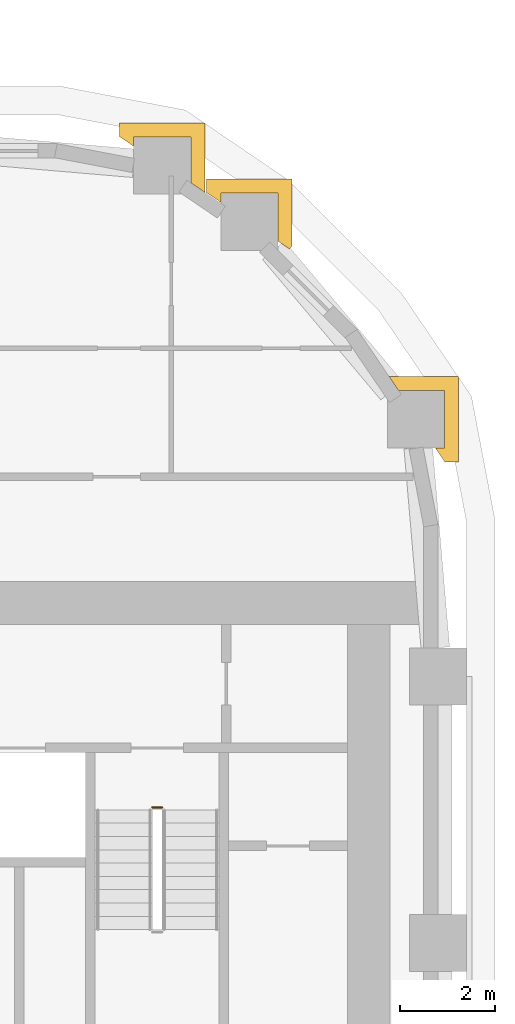
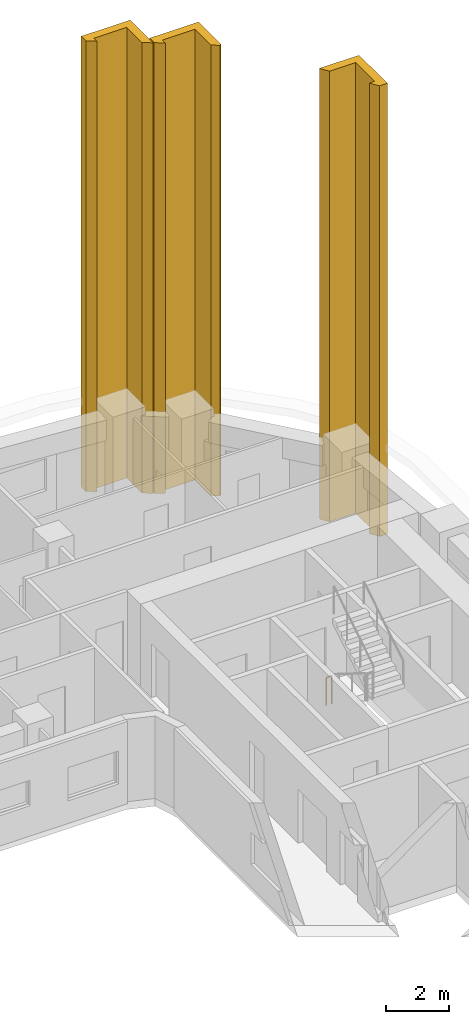
# One storey, part 23 of 23: 3 coverings, 1 railing.
"""IFC4 building model written with IfcOpenShell, lengths in metres."""

from ifc_helpers import new_model, si_unit, direction, frame, origin, origin_2d, place, context, subcontext, project, spatial, polyline, circle, outline, extrude, material, layer, layer_set, type_object, element, save


model = new_model("IFC4")

# Units and contexts
model_context = context("Model", 3, precision=1e-05, world=origin(), true_north=direction((0.0, 1.0)))
body_context = subcontext(model_context, "Body", "Model", "MODEL_VIEW")
ifc_project = project(units=[si_unit("LENGTHUNIT", "METRE"), si_unit("AREAUNIT", "SQUARE_METRE"), si_unit("VOLUMEUNIT", "CUBIC_METRE"), si_unit("PLANEANGLEUNIT", "RADIAN"), si_unit("MASSUNIT", "GRAM", prefix="KILO")], contexts=[model_context])

# Site, building, storey
site_placement = place(None, origin())
site = spatial("IfcSite", under=ifc_project, at=site_placement, CompositionType="ELEMENT")
building_placement = place(site_placement, origin())
building = spatial("IfcBuilding", under=site, at=building_placement, Name="Kiln Ring Residences", CompositionType="ELEMENT")
storey_placement = place(building_placement, frame((0.0, 0.0, 107.800048828125)))
storey = spatial("IfcBuildingStorey", under=building, at=storey_placement, Name="L27", CompositionType="ELEMENT", Elevation=107.800048828125)

# Railing
ifc_material_1 = material(Name="Stainless steel", Category="steel")
railing_type = type_object("IfcRailingType", Name="CORE-STAIR-GUARD", PredefinedType="GUARDRAIL", material=ifc_material_1)
railing_placement = place(storey_placement, frame((22.0, 8.449951171875, 0.0)))
element("IfcRailing", 1, at=railing_placement, inside=storey, type_object=railing_type, Name="L27 E-STN stair guard 4", PredefinedType="GUARDRAIL", context=body_context, shape_type="SweptSolid", body=[
    extrude(circle(Radius=0.02392578125, at=origin_2d()), frame((0.0, 0.0, 1.076171875), z_axis=(1.0, 0.0, 0.0), x_axis=(0.0, 1.0, 0.0)), (0.0, 0.0, 1.0), 0.199951171875),
    extrude(circle(Radius=0.02099609375, at=origin_2d()), origin(), (0.0, 0.0, 1.0), 1.052001953125),
    extrude(circle(Radius=0.02099609375, at=origin_2d()), frame((0.199951171875, 0.0, 0.0)), (0.0, 0.0, 1.0), 1.052001953125),
])

# Coverings
ifc_material_2 = material(Name="Brick masonry, dark clay brick", Category="masonry")
ifc_layer = layer(ifc_material_2, 0.300048828125)
ifc_layer_set = layer_set([ifc_layer], Name="PIER CLADDING 300")
covering_type = type_object("IfcCoveringType", Name="PIER CLADDING 300", PredefinedType="CLADDING", material=ifc_layer_set)
placement = place(storey_placement, origin())
element("IfcCovering", 2, at=placement, inside=storey, type_object=covering_type, Name="PIER CLADDING L27-L31", PredefinedType="CLADDING", context=body_context, shape_type="SweptSolid", body=[
    extrude(outline(polyline([(28.43798828125, 15.708740234375), (28.43798828125, 17.5087890625), (26.974609375, 17.5087890625), (27.178466796875, 17.208740234375), (28.13818359375, 17.208740234375), (28.13818359375, 16.0087890625), (27.94580078125, 16.0087890625), (28.14990234375, 15.708740234375), (28.43798828125, 15.708740234375)])), origin(), (0.0, 0.0, 1.0), 17.5),
])
element("IfcCovering", 3, at=placement, inside=storey, type_object=covering_type, Name="PIER CLADDING L27-L31", PredefinedType="CLADDING", context=body_context, shape_type="SweptSolid", body=[
    extrude(outline(polyline([(24.940185546875, 21.659912109375), (23.14013671875, 21.659912109375), (23.14013671875, 21.37158203125), (23.440185546875, 21.16748046875), (23.440185546875, 21.35986328125), (24.64013671875, 21.35986328125), (24.64013671875, 20.35205078125), (24.88232421875, 20.1875), (24.940185546875, 20.245361328125), (24.940185546875, 21.659912109375)])), origin(), (0.0, 0.0, 1.0), 17.5),
])
element("IfcCovering", 4, at=placement, inside=storey, type_object=covering_type, Name="PIER CLADDING L27-L31", PredefinedType="CLADDING", context=body_context, shape_type="SweptSolid", body=[
    extrude(outline(polyline([(23.108642578125, 22.838134765625), (21.30859375, 22.838134765625), (21.30859375, 22.5498046875), (21.608642578125, 22.345947265625), (21.608642578125, 22.5380859375), (22.80859375, 22.5380859375), (22.80859375, 21.578369140625), (23.108642578125, 21.37451171875), (23.108642578125, 22.838134765625)])), origin(), (0.0, 0.0, 1.0), 17.5),
])

save(model, "model.ifc")
